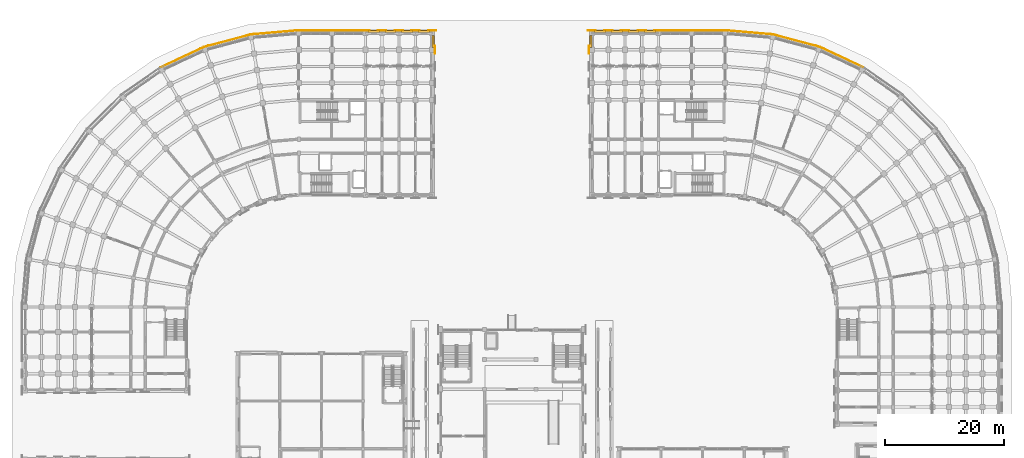
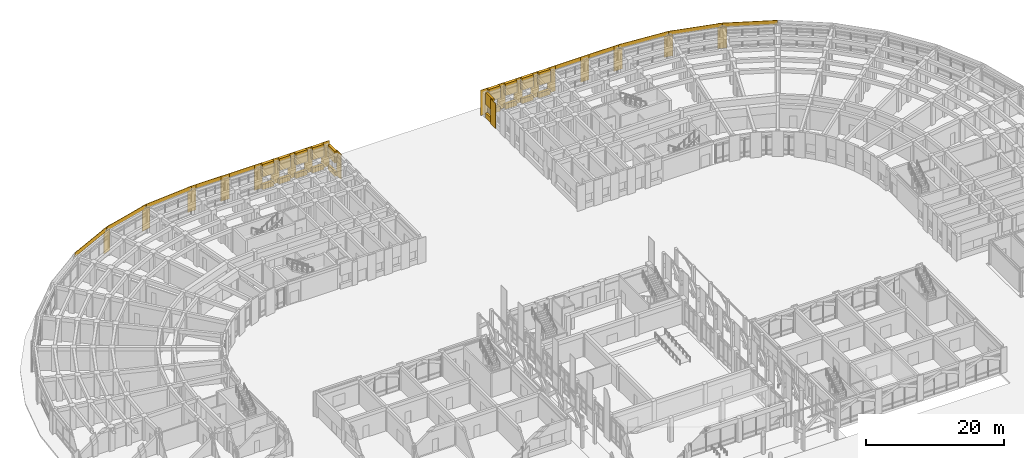
# One storey, part 134 of 135: 50 coverings.
"""IFC4 building model written with IfcOpenShell, lengths in metres."""

from ifc_helpers import new_model, si_unit, direction, frame, origin, place, context, subcontext, project, spatial, polyline, outline, extrude, material, layer, layer_set, type_object, element, save


model = new_model("IFC4")

# Units and contexts
model_context = context("Model", 3, precision=1e-05, world=origin(), true_north=direction((0.0, 1.0)))
body_context = subcontext(model_context, "Body", "Model", "MODEL_VIEW")
ifc_project = project(units=[si_unit("LENGTHUNIT", "METRE"), si_unit("AREAUNIT", "SQUARE_METRE"), si_unit("VOLUMEUNIT", "CUBIC_METRE"), si_unit("PLANEANGLEUNIT", "RADIAN"), si_unit("MASSUNIT", "GRAM", prefix="KILO")], contexts=[model_context])

# Site, building, storey
site_placement = place(None, origin())
site = spatial("IfcSite", under=ifc_project, at=site_placement, CompositionType="ELEMENT")
building_placement = place(site_placement, origin())
building = spatial("IfcBuilding", under=site, at=building_placement, Name="Kiranvali Square Residences", CompositionType="ELEMENT")
storey_placement = place(building_placement, origin())
storey = spatial("IfcBuildingStorey", under=building, at=storey_placement, Name="L00", CompositionType="ELEMENT", Elevation=0.0)

# Coverings
ifc_material_1 = material(Name="Honed Porbandar limestone ashlar facade cladding", Category="masonry")
ifc_layer_1 = layer(ifc_material_1, 0.054931640625)
ifc_layer_set_1 = layer_set([ifc_layer_1], Name="Honed Porbandar limestone ashlar facade cladding")
covering_type_1 = type_object("IfcCoveringType", Name="COV-CLAD-PIER-UP", PredefinedType="CLADDING", material=ifc_layer_set_1)
covering_1_placement = place(storey_placement, frame((0.0, 0.0, 0.0048828125)))
element("IfcCovering", 1, at=covering_1_placement, inside=storey, type_object=covering_type_1, Name="L00 Classical limestone pilaster casing CLAD-PRA1E-A-L00-R432", PredefinedType="CLADDING", context=body_context, shape_type="SweptSolid", body=[
    extrude(outline(polyline([(71.093017578125, 130.294921875), (71.093017578125, 131.705078125), (71.025390625, 131.705078125), (71.025390625, 130.294921875), (71.093017578125, 130.294921875)])), origin(), (0.0, 0.0, 1.0), 4.490234375),
])
covering_2_placement = place(storey_placement, frame((0.0, 0.0, 0.0048828125)))
element("IfcCovering", 2, at=covering_2_placement, inside=storey, type_object=covering_type_1, Name="L00 Classical limestone pilaster casing CLAD-PRA1E-B-L00-R432", PredefinedType="CLADDING", context=body_context, shape_type="SweptSolid", body=[
    extrude(outline(polyline([(96.974609375, 130.294921875), (96.974609375, 131.705078125), (96.906982421875, 131.705078125), (96.906982421875, 130.294921875), (96.974609375, 130.294921875)])), origin(), (0.0, 0.0, 1.0), 4.490234375),
])
ifc_material_2 = material(Name="Alternating Deccan basalt and Porbandar limestone rusticated plinth ashlar", Category="masonry")
ifc_layer_2 = layer(ifc_material_2, 0.0849609375)
ifc_layer_set_2 = layer_set([ifc_layer_2], Name="Alternating Deccan basalt and Porbandar limestone rusticated plinth ashlar")
covering_type_2 = type_object("IfcCoveringType", Name="COV-CLAD-PLINTH", PredefinedType="CLADDING", material=ifc_layer_set_2)
covering_3_placement = place(storey_placement, frame((0.0, 0.0, 0.0048828125)))
element("IfcCovering", 3, at=covering_3_placement, inside=storey, type_object=covering_type_2, Name="L00 rusticated Ottoman arcade pier CLAD-PR-A-L00-A00", PredefinedType="CLADDING", context=body_context, shape_type="SweptSolid", body=[
    extrude(outline(polyline([(48.905029296875, 134.29296875), (47.4951171875, 134.29296875), (47.4951171875, 134.2255859375), (48.905029296875, 134.2255859375), (48.905029296875, 134.29296875)])), origin(), (0.0, 0.0, 1.0), 4.490234375),
])
covering_4_placement = place(storey_placement, frame((0.0, 0.0, 0.0048828125)))
element("IfcCovering", 4, at=covering_4_placement, inside=storey, type_object=covering_type_2, Name="L00 rusticated Ottoman arcade pier CLAD-PR-A-L00-A01", PredefinedType="CLADDING", context=body_context, shape_type="SweptSolid", body=[
    extrude(outline(polyline([(40.82080078125, 133.708984375), (39.432373046875, 133.46435546875), (39.444091796875, 133.397705078125), (40.83251953125, 133.642578125), (40.82080078125, 133.708984375)])), origin(), (0.0, 0.0, 1.0), 4.490234375),
])
covering_5_placement = place(storey_placement, frame((0.0, 0.0, 0.0048828125)))
element("IfcCovering", 5, at=covering_5_placement, inside=storey, type_object=covering_type_2, Name="L00 rusticated Ottoman arcade pier CLAD-PR-A-L00-A02", PredefinedType="CLADDING", context=body_context, shape_type="SweptSolid", body=[
    extrude(outline(polyline([(32.9609375, 131.730224609375), (31.635986328125, 131.248046875), (31.6591796875, 131.1845703125), (32.984130859375, 131.666748046875), (32.9609375, 131.730224609375)])), origin(), (0.0, 0.0, 1.0), 4.490234375),
])
covering_6_placement = place(storey_placement, frame((0.0, 0.0, 0.0048828125)))
element("IfcCovering", 6, at=covering_6_placement, inside=storey, type_object=covering_type_2, Name="L00 Classical limestone pilaster casing CLAD-PR-A-L00-U56", PredefinedType="CLADDING", context=body_context, shape_type="SweptSolid", body=[
    extrude(outline(polyline([(53.094970703125, 134.2255859375), (54.5048828125, 134.2255859375), (54.5048828125, 134.29296875), (53.094970703125, 134.29296875), (53.094970703125, 134.2255859375)])), origin(), (0.0, 0.0, 1.0), 4.490234375),
])
covering_7_placement = place(storey_placement, frame((0.0, 0.0, 0.0048828125)))
element("IfcCovering", 7, at=covering_7_placement, inside=storey, type_object=covering_type_2, Name="L00 Classical limestone pilaster casing CLAD-PR-A-L00-U112", PredefinedType="CLADDING", context=body_context, shape_type="SweptSolid", body=[
    extrude(outline(polyline([(58.695068359375, 134.2255859375), (60.10498046875, 134.2255859375), (60.10498046875, 134.29296875), (58.695068359375, 134.29296875), (58.695068359375, 134.2255859375)])), origin(), (0.0, 0.0, 1.0), 4.490234375),
])
covering_8_placement = place(storey_placement, frame((0.0, 0.0, 0.0048828125)))
element("IfcCovering", 8, at=covering_8_placement, inside=storey, type_object=covering_type_2, Name="L00 Classical limestone pilaster casing CLAD-PR-A-L00-U140", PredefinedType="CLADDING", context=body_context, shape_type="SweptSolid", body=[
    extrude(outline(polyline([(61.4951171875, 134.2255859375), (62.905029296875, 134.2255859375), (62.905029296875, 134.29296875), (61.4951171875, 134.29296875), (61.4951171875, 134.2255859375)])), origin(), (0.0, 0.0, 1.0), 4.490234375),
])
covering_9_placement = place(storey_placement, frame((0.0, 0.0, 0.0048828125)))
element("IfcCovering", 9, at=covering_9_placement, inside=storey, type_object=covering_type_2, Name="L00 Classical limestone pilaster casing CLAD-PR-A-L00-U167", PredefinedType="CLADDING", context=body_context, shape_type="SweptSolid", body=[
    extrude(outline(polyline([(64.294921875, 134.2255859375), (65.705078125, 134.2255859375), (65.705078125, 134.29296875), (64.294921875, 134.29296875), (64.294921875, 134.2255859375)])), origin(), (0.0, 0.0, 1.0), 4.490234375),
])
covering_10_placement = place(storey_placement, frame((0.0, 0.0, 0.0048828125)))
element("IfcCovering", 10, at=covering_10_placement, inside=storey, type_object=covering_type_2, Name="L00 Classical limestone pilaster casing CLAD-PR-A-L00-U195", PredefinedType="CLADDING", context=body_context, shape_type="SweptSolid", body=[
    extrude(outline(polyline([(67.094970703125, 134.2255859375), (68.5048828125, 134.2255859375), (68.5048828125, 134.29296875), (67.094970703125, 134.29296875), (67.094970703125, 134.2255859375)])), origin(), (0.0, 0.0, 1.0), 4.490234375),
])
covering_11_placement = place(storey_placement, frame((0.0, 0.0, 0.0048828125)))
element("IfcCovering", 11, at=covering_11_placement, inside=storey, type_object=covering_type_2, Name="L00 Classical limestone pilaster casing CLAD-PR-A-L00-U224", PredefinedType="CLADDING", context=body_context, shape_type="SweptSolid", body=[
    extrude(outline(polyline([(69.89501953125, 134.2255859375), (71.304931640625, 134.2255859375), (71.304931640625, 134.29296875), (69.89501953125, 134.29296875), (69.89501953125, 134.2255859375)])), origin(), (0.0, 0.0, 1.0), 4.490234375),
])
covering_12_placement = place(storey_placement, frame((0.0, 0.0, 0.0048828125)))
element("IfcCovering", 12, at=covering_12_placement, inside=storey, type_object=covering_type_2, Name="L00 rusticated Ottoman arcade pier CLAD-PR-B-L00-A00", PredefinedType="CLADDING", context=body_context, shape_type="SweptSolid", body=[
    extrude(outline(polyline([(120.5048828125, 134.29296875), (119.094970703125, 134.29296875), (119.094970703125, 134.2255859375), (120.5048828125, 134.2255859375), (120.5048828125, 134.29296875)])), origin(), (0.0, 0.0, 1.0), 4.490234375),
])
covering_13_placement = place(storey_placement, frame((0.0, 0.0, 0.0048828125)))
element("IfcCovering", 13, at=covering_13_placement, inside=storey, type_object=covering_type_2, Name="L00 rusticated Ottoman arcade pier CLAD-PR-B-L00-A01", PredefinedType="CLADDING", context=body_context, shape_type="SweptSolid", body=[
    extrude(outline(polyline([(128.567626953125, 133.46435546875), (127.17919921875, 133.708984375), (127.16748046875, 133.642578125), (128.555908203125, 133.397705078125), (128.567626953125, 133.46435546875)])), origin(), (0.0, 0.0, 1.0), 4.490234375),
])
covering_14_placement = place(storey_placement, frame((0.0, 0.0, 0.0048828125)))
element("IfcCovering", 14, at=covering_14_placement, inside=storey, type_object=covering_type_2, Name="L00 rusticated Ottoman arcade pier CLAD-PR-B-L00-A02", PredefinedType="CLADDING", context=body_context, shape_type="SweptSolid", body=[
    extrude(outline(polyline([(136.364013671875, 131.248046875), (135.0390625, 131.730224609375), (135.015869140625, 131.666748046875), (136.3408203125, 131.1845703125), (136.364013671875, 131.248046875)])), origin(), (0.0, 0.0, 1.0), 4.490234375),
])
covering_15_placement = place(storey_placement, frame((0.0, 0.0, 0.0048828125)))
element("IfcCovering", 15, at=covering_15_placement, inside=storey, type_object=covering_type_2, Name="L00 Classical limestone pilaster casing CLAD-PR-B-L00-U56", PredefinedType="CLADDING", context=body_context, shape_type="SweptSolid", body=[
    extrude(outline(polyline([(114.905029296875, 134.29296875), (113.4951171875, 134.29296875), (113.4951171875, 134.2255859375), (114.905029296875, 134.2255859375), (114.905029296875, 134.29296875)])), origin(), (0.0, 0.0, 1.0), 4.490234375),
])
covering_16_placement = place(storey_placement, frame((0.0, 0.0, 0.0048828125)))
element("IfcCovering", 16, at=covering_16_placement, inside=storey, type_object=covering_type_2, Name="L00 Classical limestone pilaster casing CLAD-PR-B-L00-U112", PredefinedType="CLADDING", context=body_context, shape_type="SweptSolid", body=[
    extrude(outline(polyline([(109.304931640625, 134.29296875), (107.89501953125, 134.29296875), (107.89501953125, 134.2255859375), (109.304931640625, 134.2255859375), (109.304931640625, 134.29296875)])), origin(), (0.0, 0.0, 1.0), 4.490234375),
])
covering_17_placement = place(storey_placement, frame((0.0, 0.0, 0.0048828125)))
element("IfcCovering", 17, at=covering_17_placement, inside=storey, type_object=covering_type_2, Name="L00 Classical limestone pilaster casing CLAD-PR-B-L00-U140", PredefinedType="CLADDING", context=body_context, shape_type="SweptSolid", body=[
    extrude(outline(polyline([(106.5048828125, 134.29296875), (105.094970703125, 134.29296875), (105.094970703125, 134.2255859375), (106.5048828125, 134.2255859375), (106.5048828125, 134.29296875)])), origin(), (0.0, 0.0, 1.0), 4.490234375),
])
covering_18_placement = place(storey_placement, frame((0.0, 0.0, 0.0048828125)))
element("IfcCovering", 18, at=covering_18_placement, inside=storey, type_object=covering_type_2, Name="L00 Classical limestone pilaster casing CLAD-PR-B-L00-U167", PredefinedType="CLADDING", context=body_context, shape_type="SweptSolid", body=[
    extrude(outline(polyline([(103.705078125, 134.29296875), (102.294921875, 134.29296875), (102.294921875, 134.2255859375), (103.705078125, 134.2255859375), (103.705078125, 134.29296875)])), origin(), (0.0, 0.0, 1.0), 4.490234375),
])
covering_19_placement = place(storey_placement, frame((0.0, 0.0, 0.0048828125)))
element("IfcCovering", 19, at=covering_19_placement, inside=storey, type_object=covering_type_2, Name="L00 Classical limestone pilaster casing CLAD-PR-B-L00-U195", PredefinedType="CLADDING", context=body_context, shape_type="SweptSolid", body=[
    extrude(outline(polyline([(100.905029296875, 134.29296875), (99.4951171875, 134.29296875), (99.4951171875, 134.2255859375), (100.905029296875, 134.2255859375), (100.905029296875, 134.29296875)])), origin(), (0.0, 0.0, 1.0), 4.490234375),
])
covering_20_placement = place(storey_placement, frame((0.0, 0.0, 0.0048828125)))
element("IfcCovering", 20, at=covering_20_placement, inside=storey, type_object=covering_type_2, Name="L00 Classical limestone pilaster casing CLAD-PR-B-L00-U224", PredefinedType="CLADDING", context=body_context, shape_type="SweptSolid", body=[
    extrude(outline(polyline([(98.10498046875, 134.29296875), (96.695068359375, 134.29296875), (96.695068359375, 134.2255859375), (98.10498046875, 134.2255859375), (98.10498046875, 134.29296875)])), origin(), (0.0, 0.0, 1.0), 4.490234375),
])
ifc_layer_3 = layer(ifc_material_1, 0.360107421875)
ifc_layer_set_3 = layer_set([ifc_layer_3], Name="Honed Porbandar limestone ashlar facade cladding")
covering_type_3 = type_object("IfcCoveringType", Name="COV-CLAD-WALL", PredefinedType="CLADDING", material=ifc_layer_set_3)
covering_21_placement = place(storey_placement, frame((0.0, 0.0, 3.780029296875)))
element("IfcCovering", 21, at=covering_21_placement, inside=storey, type_object=covering_type_3, Name="Block A L00 Classical Ottoman arcade entablature 1", PredefinedType="CLADDING", context=body_context, shape_type="SweptSolid", body=[
    extrude(outline(polyline([(48.156005859375, 134.302978515625), (40.168212890625, 133.604248046875), (40.175048828125, 133.526611328125), (48.162841796875, 134.225341796875), (48.156005859375, 134.302978515625)])), origin(), (0.0, 0.0, 1.0), 0.715087890625),
])
covering_22_placement = place(storey_placement, frame((0.0, 0.0, 3.780029296875)))
element("IfcCovering", 22, at=covering_22_placement, inside=storey, type_object=covering_type_3, Name="Block A L00 Classical Ottoman arcade entablature 2", PredefinedType="CLADDING", context=body_context, shape_type="SweptSolid", body=[
    extrude(outline(polyline([(40.08154296875, 133.5888671875), (32.33642578125, 131.513671875), (32.3564453125, 131.438232421875), (40.1015625, 133.513671875), (40.08154296875, 133.5888671875)])), origin(), (0.0, 0.0, 1.0), 0.715087890625),
])
covering_23_placement = place(storey_placement, frame((0.0, 0.0, 3.780029296875)))
element("IfcCovering", 23, at=covering_23_placement, inside=storey, type_object=covering_type_3, Name="Block A L00 Classical Ottoman arcade entablature 3", PredefinedType="CLADDING", context=body_context, shape_type="SweptSolid", body=[
    extrude(outline(polyline([(32.253662109375, 131.483642578125), (24.986572265625, 128.094970703125), (25.01953125, 128.024169921875), (32.28662109375, 131.412841796875), (32.253662109375, 131.483642578125)])), origin(), (0.0, 0.0, 1.0), 0.715087890625),
])
covering_24_placement = place(storey_placement, frame((0.0, 0.0, 3.780029296875)))
element("IfcCovering", 24, at=covering_24_placement, inside=storey, type_object=covering_type_3, Name="Block A L00 Arm 1 street arcade cornice 1", PredefinedType="CLADDING", context=body_context, shape_type="SweptSolid", body=[
    extrude(outline(polyline([(48.199951171875, 134.22705078125), (53.800048828125, 134.22705078125), (53.800048828125, 134.304931640625), (48.199951171875, 134.304931640625), (48.199951171875, 134.22705078125)])), origin(), (0.0, 0.0, 1.0), 0.715087890625),
])
covering_25_placement = place(storey_placement, frame((0.0, 0.0, 3.780029296875)))
element("IfcCovering", 25, at=covering_25_placement, inside=storey, type_object=covering_type_3, Name="Block A L00 Arm 1 street arcade cornice 2", PredefinedType="CLADDING", context=body_context, shape_type="SweptSolid", body=[
    extrude(outline(polyline([(53.800048828125, 134.22705078125), (59.39990234375, 134.22705078125), (59.39990234375, 134.304931640625), (53.800048828125, 134.304931640625), (53.800048828125, 134.22705078125)])), origin(), (0.0, 0.0, 1.0), 0.715087890625),
])
covering_26_placement = place(storey_placement, frame((0.0, 0.0, 2.22998046875)))
element("IfcCovering", 26, at=covering_26_placement, inside=storey, type_object=covering_type_3, Name="L00 light limestone spandrel lintel A-L00-A1O-2", PredefinedType="CLADDING", context=body_context, shape_type="SweptSolid", body=[
    extrude(outline(polyline([(59.840087890625, 133.800537109375), (61.760009765625, 133.800537109375), (61.760009765625, 134.27490234375), (59.840087890625, 134.27490234375), (59.840087890625, 133.800537109375)])), origin(), (0.0, 0.0, 1.0), 2.26513671875),
])
covering_27_placement = place(storey_placement, frame((0.0, 0.0, 0.0048828125)))
element("IfcCovering", 27, at=covering_27_placement, inside=storey, type_object=covering_type_3, Name="L00 limestone window sill apron A-L00-A1O-2", PredefinedType="CLADDING", context=body_context, shape_type="SweptSolid", body=[
    extrude(outline(polyline([(59.840087890625, 133.800537109375), (61.760009765625, 133.800537109375), (61.760009765625, 134.304931640625), (59.840087890625, 134.304931640625), (59.840087890625, 133.800537109375)])), origin(), (0.0, 0.0, 1.0), 0.875),
])
covering_28_placement = place(storey_placement, frame((0.0, 0.0, 2.3798828125)))
element("IfcCovering", 28, at=covering_28_placement, inside=storey, type_object=covering_type_3, Name="L00 light limestone spandrel lintel A-L00-A1O-3", PredefinedType="CLADDING", context=body_context, shape_type="SweptSolid", body=[
    extrude(outline(polyline([(62.639892578125, 133.800537109375), (64.56005859375, 133.800537109375), (64.56005859375, 134.27490234375), (62.639892578125, 134.27490234375), (62.639892578125, 133.800537109375)])), origin(), (0.0, 0.0, 1.0), 2.115234375),
])
covering_29_placement = place(storey_placement, frame((0.0, 0.0, 0.0048828125)))
element("IfcCovering", 29, at=covering_29_placement, inside=storey, type_object=covering_type_3, Name="L00 limestone window sill apron A-L00-A1O-3", PredefinedType="CLADDING", context=body_context, shape_type="SweptSolid", body=[
    extrude(outline(polyline([(62.639892578125, 133.800537109375), (64.56005859375, 133.800537109375), (64.56005859375, 134.304931640625), (62.639892578125, 134.304931640625), (62.639892578125, 133.800537109375)])), origin(), (0.0, 0.0, 1.0), 0.875),
])
covering_30_placement = place(storey_placement, frame((0.0, 0.0, 2.3798828125)))
element("IfcCovering", 30, at=covering_30_placement, inside=storey, type_object=covering_type_3, Name="L00 light limestone spandrel lintel A-L00-A1O-4", PredefinedType="CLADDING", context=body_context, shape_type="SweptSolid", body=[
    extrude(outline(polyline([(65.43994140625, 133.800537109375), (67.360107421875, 133.800537109375), (67.360107421875, 134.27490234375), (65.43994140625, 134.27490234375), (65.43994140625, 133.800537109375)])), origin(), (0.0, 0.0, 1.0), 2.115234375),
])
covering_31_placement = place(storey_placement, frame((0.0, 0.0, 0.0048828125)))
element("IfcCovering", 31, at=covering_31_placement, inside=storey, type_object=covering_type_3, Name="L00 limestone window sill apron A-L00-A1O-4", PredefinedType="CLADDING", context=body_context, shape_type="SweptSolid", body=[
    extrude(outline(polyline([(65.43994140625, 133.800537109375), (67.360107421875, 133.800537109375), (67.360107421875, 134.304931640625), (65.43994140625, 134.304931640625), (65.43994140625, 133.800537109375)])), origin(), (0.0, 0.0, 1.0), 0.875),
])
covering_32_placement = place(storey_placement, frame((0.0, 0.0, 2.330078125)))
element("IfcCovering", 32, at=covering_32_placement, inside=storey, type_object=covering_type_3, Name="L00 light limestone spandrel lintel A-L00-A1O-5", PredefinedType="CLADDING", context=body_context, shape_type="SweptSolid", body=[
    extrude(outline(polyline([(68.239990234375, 133.800537109375), (70.159912109375, 133.800537109375), (70.159912109375, 134.27490234375), (68.239990234375, 134.27490234375), (68.239990234375, 133.800537109375)])), origin(), (0.0, 0.0, 1.0), 2.1650390625),
])
covering_33_placement = place(storey_placement, frame((0.0, 0.0, 0.0048828125)))
element("IfcCovering", 33, at=covering_33_placement, inside=storey, type_object=covering_type_3, Name="L00 limestone window sill apron A-L00-A1O-5", PredefinedType="CLADDING", context=body_context, shape_type="SweptSolid", body=[
    extrude(outline(polyline([(68.239990234375, 133.800537109375), (70.159912109375, 133.800537109375), (70.159912109375, 134.304931640625), (68.239990234375, 134.304931640625), (68.239990234375, 133.800537109375)])), origin(), (0.0, 0.0, 1.0), 0.875),
])
covering_34_placement = place(storey_placement, frame((0.0, 0.0, 2.3798828125)))
element("IfcCovering", 34, at=covering_34_placement, inside=storey, type_object=covering_type_3, Name="L00 light limestone spandrel lintel A-L00-A1END-6", PredefinedType="CLADDING", context=body_context, shape_type="SweptSolid", body=[
    extrude(outline(polyline([(70.93994140625, 131.419921875), (70.93994140625, 133.3798828125), (70.6005859375, 133.3798828125), (70.6005859375, 131.419921875), (70.93994140625, 131.419921875)])), origin(), (0.0, 0.0, 1.0), 2.115234375),
])
covering_35_placement = place(storey_placement, frame((0.0, 0.0, 0.0048828125)))
element("IfcCovering", 35, at=covering_35_placement, inside=storey, type_object=covering_type_3, Name="L00 limestone window sill apron A-L00-A1END-6", PredefinedType="CLADDING", context=body_context, shape_type="SweptSolid", body=[
    extrude(outline(polyline([(70.969970703125, 131.419921875), (70.969970703125, 133.3798828125), (70.6005859375, 133.3798828125), (70.6005859375, 131.419921875), (70.969970703125, 131.419921875)])), origin(), (0.0, 0.0, 1.0), 0.875),
])
covering_36_placement = place(storey_placement, frame((0.0, 0.0, 3.780029296875)))
element("IfcCovering", 36, at=covering_36_placement, inside=storey, type_object=covering_type_3, Name="Block B L00 Classical Ottoman arcade entablature 1", PredefinedType="CLADDING", context=body_context, shape_type="SweptSolid", body=[
    extrude(outline(polyline([(119.837158203125, 134.225341796875), (127.824951171875, 133.526611328125), (127.831787109375, 133.604248046875), (119.843994140625, 134.302978515625), (119.837158203125, 134.225341796875)])), origin(), (0.0, 0.0, 1.0), 0.715087890625),
])
covering_37_placement = place(storey_placement, frame((0.0, 0.0, 3.780029296875)))
element("IfcCovering", 37, at=covering_37_placement, inside=storey, type_object=covering_type_3, Name="Block B L00 Classical Ottoman arcade entablature 2", PredefinedType="CLADDING", context=body_context, shape_type="SweptSolid", body=[
    extrude(outline(polyline([(127.8984375, 133.513671875), (135.6435546875, 131.438232421875), (135.66357421875, 131.513671875), (127.91845703125, 133.5888671875), (127.8984375, 133.513671875)])), origin(), (0.0, 0.0, 1.0), 0.715087890625),
])
covering_38_placement = place(storey_placement, frame((0.0, 0.0, 3.780029296875)))
element("IfcCovering", 38, at=covering_38_placement, inside=storey, type_object=covering_type_3, Name="Block B L00 Classical Ottoman arcade entablature 3", PredefinedType="CLADDING", context=body_context, shape_type="SweptSolid", body=[
    extrude(outline(polyline([(135.71337890625, 131.412841796875), (142.98046875, 128.024169921875), (143.013427734375, 128.094970703125), (135.746337890625, 131.483642578125), (135.71337890625, 131.412841796875)])), origin(), (0.0, 0.0, 1.0), 0.715087890625),
])
covering_39_placement = place(storey_placement, frame((0.0, 0.0, 3.780029296875)))
element("IfcCovering", 39, at=covering_39_placement, inside=storey, type_object=covering_type_3, Name="Block B L00 Arm 1 street arcade cornice 1", PredefinedType="CLADDING", context=body_context, shape_type="SweptSolid", body=[
    extrude(outline(polyline([(119.800048828125, 134.304931640625), (114.199951171875, 134.304931640625), (114.199951171875, 134.22705078125), (119.800048828125, 134.22705078125), (119.800048828125, 134.304931640625)])), origin(), (0.0, 0.0, 1.0), 0.715087890625),
])
covering_40_placement = place(storey_placement, frame((0.0, 0.0, 3.780029296875)))
element("IfcCovering", 40, at=covering_40_placement, inside=storey, type_object=covering_type_3, Name="Block B L00 Arm 1 street arcade cornice 2", PredefinedType="CLADDING", context=body_context, shape_type="SweptSolid", body=[
    extrude(outline(polyline([(114.199951171875, 134.304931640625), (108.60009765625, 134.304931640625), (108.60009765625, 134.22705078125), (114.199951171875, 134.22705078125), (114.199951171875, 134.304931640625)])), origin(), (0.0, 0.0, 1.0), 0.715087890625),
])
covering_41_placement = place(storey_placement, frame((0.0, 0.0, 2.22998046875)))
element("IfcCovering", 41, at=covering_41_placement, inside=storey, type_object=covering_type_3, Name="L00 light limestone spandrel lintel B-L00-A1O-2", PredefinedType="CLADDING", context=body_context, shape_type="SweptSolid", body=[
    extrude(outline(polyline([(108.159912109375, 134.27490234375), (106.239990234375, 134.27490234375), (106.239990234375, 133.800537109375), (108.159912109375, 133.800537109375), (108.159912109375, 134.27490234375)])), origin(), (0.0, 0.0, 1.0), 2.26513671875),
])
covering_42_placement = place(storey_placement, frame((0.0, 0.0, 0.0048828125)))
element("IfcCovering", 42, at=covering_42_placement, inside=storey, type_object=covering_type_3, Name="L00 limestone window sill apron B-L00-A1O-2", PredefinedType="CLADDING", context=body_context, shape_type="SweptSolid", body=[
    extrude(outline(polyline([(108.159912109375, 134.304931640625), (106.239990234375, 134.304931640625), (106.239990234375, 133.800537109375), (108.159912109375, 133.800537109375), (108.159912109375, 134.304931640625)])), origin(), (0.0, 0.0, 1.0), 0.875),
])
covering_43_placement = place(storey_placement, frame((0.0, 0.0, 2.3798828125)))
element("IfcCovering", 43, at=covering_43_placement, inside=storey, type_object=covering_type_3, Name="L00 light limestone spandrel lintel B-L00-A1O-3", PredefinedType="CLADDING", context=body_context, shape_type="SweptSolid", body=[
    extrude(outline(polyline([(105.360107421875, 134.27490234375), (103.43994140625, 134.27490234375), (103.43994140625, 133.800537109375), (105.360107421875, 133.800537109375), (105.360107421875, 134.27490234375)])), origin(), (0.0, 0.0, 1.0), 2.115234375),
])
covering_44_placement = place(storey_placement, frame((0.0, 0.0, 0.0048828125)))
element("IfcCovering", 44, at=covering_44_placement, inside=storey, type_object=covering_type_3, Name="L00 limestone window sill apron B-L00-A1O-3", PredefinedType="CLADDING", context=body_context, shape_type="SweptSolid", body=[
    extrude(outline(polyline([(105.360107421875, 134.304931640625), (103.43994140625, 134.304931640625), (103.43994140625, 133.800537109375), (105.360107421875, 133.800537109375), (105.360107421875, 134.304931640625)])), origin(), (0.0, 0.0, 1.0), 0.875),
])
covering_45_placement = place(storey_placement, frame((0.0, 0.0, 2.3798828125)))
element("IfcCovering", 45, at=covering_45_placement, inside=storey, type_object=covering_type_3, Name="L00 light limestone spandrel lintel B-L00-A1O-4", PredefinedType="CLADDING", context=body_context, shape_type="SweptSolid", body=[
    extrude(outline(polyline([(102.56005859375, 134.27490234375), (100.639892578125, 134.27490234375), (100.639892578125, 133.800537109375), (102.56005859375, 133.800537109375), (102.56005859375, 134.27490234375)])), origin(), (0.0, 0.0, 1.0), 2.115234375),
])
covering_46_placement = place(storey_placement, frame((0.0, 0.0, 0.0048828125)))
element("IfcCovering", 46, at=covering_46_placement, inside=storey, type_object=covering_type_3, Name="L00 limestone window sill apron B-L00-A1O-4", PredefinedType="CLADDING", context=body_context, shape_type="SweptSolid", body=[
    extrude(outline(polyline([(102.56005859375, 134.304931640625), (100.639892578125, 134.304931640625), (100.639892578125, 133.800537109375), (102.56005859375, 133.800537109375), (102.56005859375, 134.304931640625)])), origin(), (0.0, 0.0, 1.0), 0.875),
])
covering_47_placement = place(storey_placement, frame((0.0, 0.0, 2.330078125)))
element("IfcCovering", 47, at=covering_47_placement, inside=storey, type_object=covering_type_3, Name="L00 light limestone spandrel lintel B-L00-A1O-5", PredefinedType="CLADDING", context=body_context, shape_type="SweptSolid", body=[
    extrude(outline(polyline([(99.760009765625, 134.27490234375), (97.840087890625, 134.27490234375), (97.840087890625, 133.800537109375), (99.760009765625, 133.800537109375), (99.760009765625, 134.27490234375)])), origin(), (0.0, 0.0, 1.0), 2.1650390625),
])
covering_48_placement = place(storey_placement, frame((0.0, 0.0, 0.0048828125)))
element("IfcCovering", 48, at=covering_48_placement, inside=storey, type_object=covering_type_3, Name="L00 limestone window sill apron B-L00-A1O-5", PredefinedType="CLADDING", context=body_context, shape_type="SweptSolid", body=[
    extrude(outline(polyline([(99.760009765625, 134.304931640625), (97.840087890625, 134.304931640625), (97.840087890625, 133.800537109375), (99.760009765625, 133.800537109375), (99.760009765625, 134.304931640625)])), origin(), (0.0, 0.0, 1.0), 0.875),
])
covering_49_placement = place(storey_placement, frame((0.0, 0.0, 2.3798828125)))
element("IfcCovering", 49, at=covering_49_placement, inside=storey, type_object=covering_type_3, Name="L00 light limestone spandrel lintel B-L00-A1END-6", PredefinedType="CLADDING", context=body_context, shape_type="SweptSolid", body=[
    extrude(outline(polyline([(97.3994140625, 131.419921875), (97.3994140625, 133.3798828125), (97.06005859375, 133.3798828125), (97.06005859375, 131.419921875), (97.3994140625, 131.419921875)])), origin(), (0.0, 0.0, 1.0), 2.115234375),
])
covering_50_placement = place(storey_placement, frame((0.0, 0.0, 0.0048828125)))
element("IfcCovering", 50, at=covering_50_placement, inside=storey, type_object=covering_type_3, Name="L00 limestone window sill apron B-L00-A1END-6", PredefinedType="CLADDING", context=body_context, shape_type="SweptSolid", body=[
    extrude(outline(polyline([(97.3994140625, 131.419921875), (97.3994140625, 133.3798828125), (97.030029296875, 133.3798828125), (97.030029296875, 131.419921875), (97.3994140625, 131.419921875)])), origin(), (0.0, 0.0, 1.0), 0.875),
])

save(model, "model.ifc")
